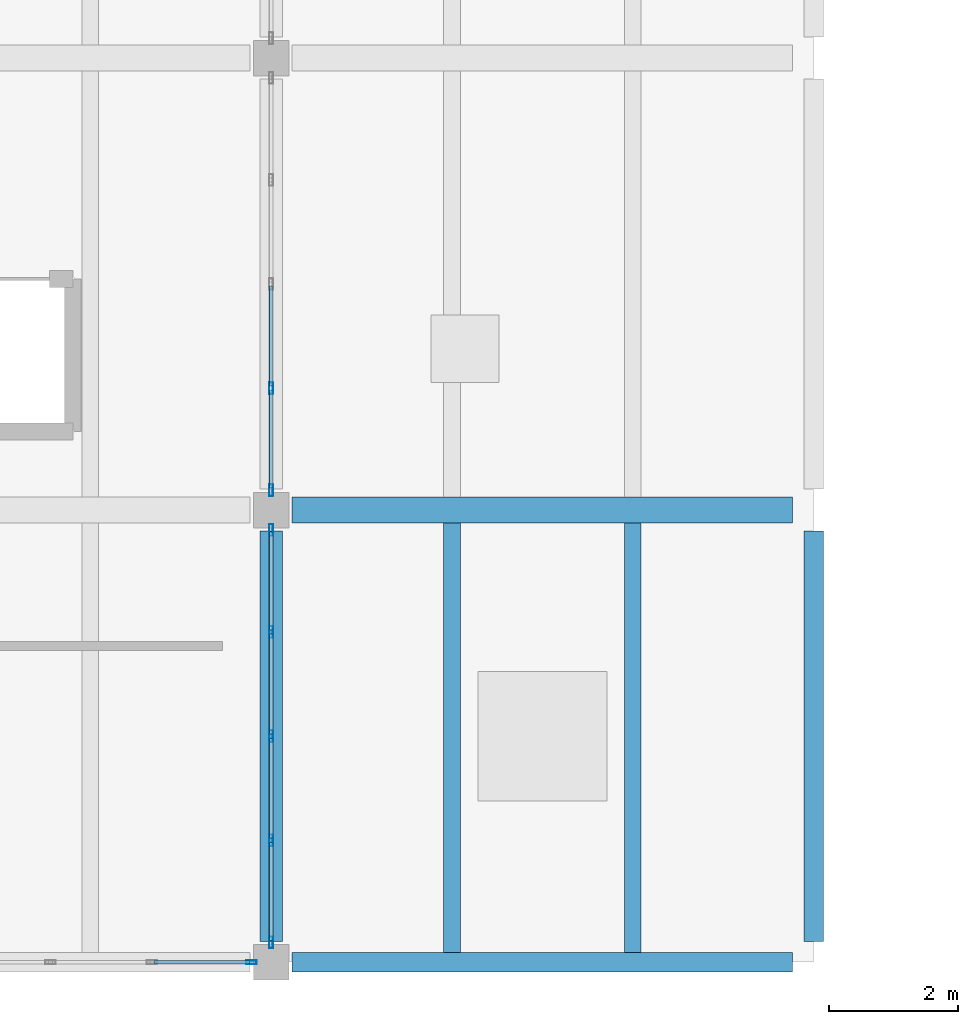
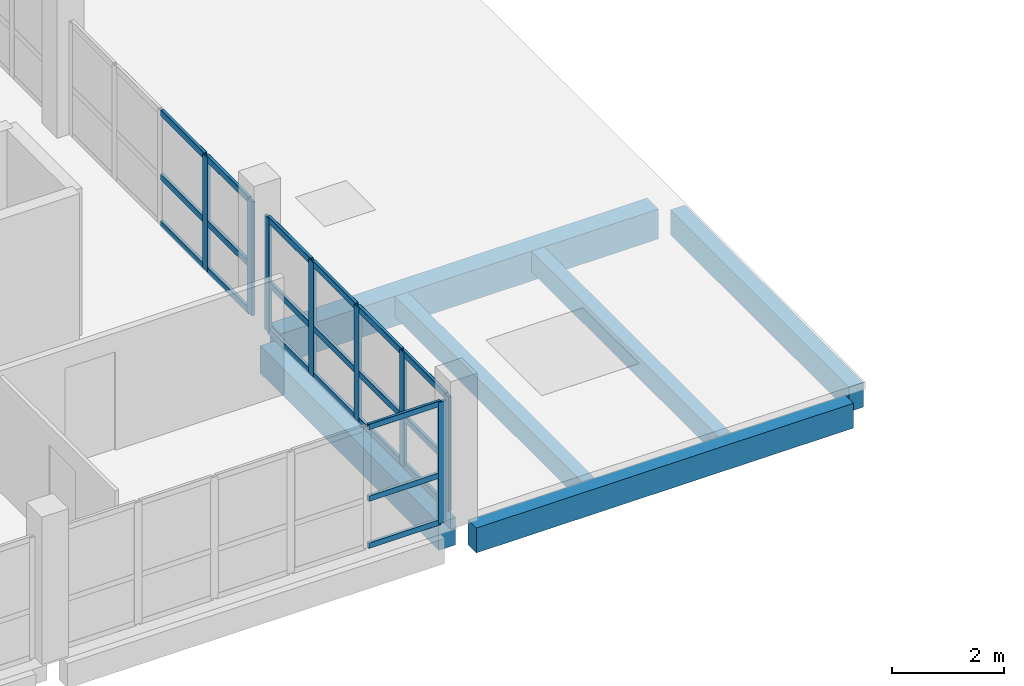
# One storey, part 15 of 24: 29 members, 6 beams, 3 elements without a shape of their own.
"""IFC4 building model written with IfcOpenShell, lengths in metres."""

from ifc_helpers import new_model, si_unit, direction, frame, origin, origin_2d, place, context, subcontext, project, spatial, rectangle, hollow_rectangle, extrude, material, layer, layer_set, material_profile, profile_set, type_object, element, aggregate, save


model = new_model("IFC4")

# Units and contexts
model_context = context("Model", 3, precision=1e-05, world=origin(), true_north=direction((0.0, 1.0)))
body_context = subcontext(model_context, "Body", "Model", "MODEL_VIEW")
ifc_project = project(units=[si_unit("LENGTHUNIT", "METRE"), si_unit("AREAUNIT", "SQUARE_METRE"), si_unit("VOLUMEUNIT", "CUBIC_METRE"), si_unit("PLANEANGLEUNIT", "RADIAN"), si_unit("MASSUNIT", "GRAM", prefix="KILO"), si_unit("THERMODYNAMICTEMPERATUREUNIT", "KELVIN"), si_unit("POWERUNIT", "WATT")], contexts=[model_context])

# Site, building, storey
site_placement = place(None, origin())
site = spatial("IfcSite", under=ifc_project, at=site_placement, CompositionType="ELEMENT")
building_placement = place(site_placement, origin())
building = spatial("IfcBuilding", under=site, at=building_placement, Name="Mavoryth Pier Ferry Terminal", CompositionType="ELEMENT")
storey_placement = place(building_placement, frame((0.0, 0.0, 16.320068359375)))
storey = spatial("IfcBuildingStorey", under=building, at=storey_placement, Name="L04", CompositionType="ELEMENT", Elevation=16.320068359375)

# Beams
ifc_material_1 = material(Name="Concrete C35/45", Category="concrete")
ifc_material_profile_1 = material_profile(ifc_material_1, rectangle(XDim=0.35009765625, YDim=0.60009765625, at=origin_2d()), Name="RC 350x600", Category="concrete")
ifc_profile_set_1 = profile_set([ifc_material_profile_1], Name="Concrete C35/45 - RC 350x600")
beam_type_1 = type_object("IfcBeamType", Name="Girder-RC-350x600", PredefinedType="BEAM", material=ifc_profile_set_1)
beam_1_placement = place(storey_placement, frame((75.60009765625, 0.324951171875, -0.56005859375), z_axis=(0.0, 1.0, 0.0), x_axis=(-1.0, 0.0, 0.0)))
element("IfcBeam", 1, at=beam_1_placement, inside=storey, type_object=beam_type_1, Name="Beam B04-BG08-1486", PredefinedType="BEAM", context=body_context, shape_type="SweptSolid", body=[
    extrude(rectangle(XDim=0.35009765625, YDim=0.60009765625, at=origin_2d()), origin(), (0.0, 0.0, 1.0), 6.35009765625),
])
ifc_material_profile_2 = material_profile(ifc_material_1, rectangle(XDim=0.39990234375, YDim=0.64990234375, at=origin_2d()), Name="RC 400x650", Category="concrete")
ifc_profile_set_2 = profile_set([ifc_material_profile_2], Name="Concrete C35/45 - RC 400x650")
beam_type_2 = type_object("IfcBeamType", Name="Girder-RC-400x650", PredefinedType="BEAM", material=ifc_profile_set_2)
beam_2_placement = place(storey_placement, frame((75.925048828125, 7.0, -0.5849609375), z_axis=(1.0, 0.0, 0.0), x_axis=(0.0, 1.0, 0.0)))
element("IfcBeam", 2, at=beam_2_placement, inside=storey, type_object=beam_type_2, Name="Beam B04-BG05-1466", PredefinedType="BEAM", context=body_context, shape_type="SweptSolid", body=[
    extrude(rectangle(XDim=0.39990234375, YDim=0.64990234375, at=origin_2d()), origin(), (0.0, 0.0, 1.0), 7.75),
])
ifc_material_profile_3 = material_profile(ifc_material_1, rectangle(XDim=0.260009765625, YDim=0.449951171875, at=origin_2d()), Name="RC 260x450", Category="concrete")
ifc_profile_set_3 = profile_set([ifc_material_profile_3], Name="Concrete C35/45 - RC 260x450")
beam_type_3 = type_object("IfcBeamType", Name="Joist-RC-260x450", PredefinedType="JOIST", material=ifc_profile_set_3)
for number, where, z_axis, x_axis, name in (
    (3, (78.39990234375, 0.14990234375, -0.485107421875), (0.0, 1.0, 0.0), (-1.0, 0.0, 0.0), "Beam B04-BJ03-1512"),
    (4, (81.199951171875, 0.14990234375, -0.485107421875), (0.0, 1.0, 0.0), (-1.0, 0.0, 0.0), "Beam B04-BJ03-1513"),
):
    element("IfcBeam", number, at=place(storey_placement, frame(where, z_axis=z_axis, x_axis=x_axis)), inside=storey, type_object=beam_type_3, Name=name, PredefinedType="JOIST", context=body_context, shape_type="SweptSolid", body=[
        extrude(rectangle(XDim=0.260009765625, YDim=0.449951171875, at=origin_2d()), origin(), (0.0, 0.0, 1.0), 6.650146484375),
    ])

# Curtain wall, member
ifc_material_2 = material(Name="Anodised Aluminium and Solar-Control Low-E Glass", Category="aluminium")
ifc_layer = layer(ifc_material_2, 0.260009765625, Name="Anodised Aluminium and Solar-Control Low-E Glass", Category="aluminium")
ifc_layer_set = layer_set([ifc_layer], Name="Anodised Aluminium and Solar-Control Low-E Glass - CW-VTSBridge-Mod1500")
curtain_wall_type = type_object("IfcCurtainWallType", Name="CW-VTSBridge-Mod1500", PredefinedType="USERDEFINED", material=ifc_layer_set)
curtain_wall_1_placement = place(storey_placement, origin())
curtain_wall_1 = element("IfcCurtainWall", 5, at=curtain_wall_1_placement, inside=storey, type_object=curtain_wall_type, Name="Curtain Wall CW-0422-155", ObjectType="UNITISED CURTAIN WALL", PredefinedType="USERDEFINED")
ifc_material_3 = material(Name="Anodised Aluminium EN AW-6063", Category="aluminium")
ifc_material_profile_4 = material_profile(ifc_material_3, hollow_rectangle(XDim=0.06005859375, YDim=0.1650390625, WallThickness=0.00390625, InnerFilletRadius=0.00390625, OuterFilletRadius=0.008056640625, at=origin_2d()), Name="AL-MULL 165x60x4", Category="aluminium")
ifc_profile_set_4 = profile_set([ifc_material_profile_4], Name="Anodised Aluminium EN AW-6063 - AL-MULL 165x60x4")
member_type_1 = type_object("IfcMemberType", Name="Mullion-Alum-165x60", PredefinedType="MULLION", material=ifc_profile_set_4)
member_1_placement = place(storey_placement, frame((75.294921875, 0.0, 0.0), z_axis=(0.0, 0.0, 1.0), x_axis=(0.0, 1.0, 0.0)))
member_1 = element("IfcMember", 6, at=member_1_placement, type_object=member_type_1, Name="CW07 mullion 6", PredefinedType="MULLION", context=body_context, shape_type="SweptSolid", body=[
    extrude(hollow_rectangle(XDim=0.06005859375, YDim=0.1650390625, WallThickness=0.00390625, InnerFilletRadius=0.00390625, OuterFilletRadius=0.008056640625, at=origin_2d()), origin(), (0.0, 0.0, 1.0), 2.635009765625),
])

# Curtain wall, members
curtain_wall_2_placement = place(storey_placement, origin())
curtain_wall_2 = element("IfcCurtainWall", 7, at=curtain_wall_2_placement, inside=storey, type_object=curtain_wall_type, Name="Curtain Wall CW-0433-159", ObjectType="UNITISED CURTAIN WALL", PredefinedType="USERDEFINED")
ifc_material_profile_5 = material_profile(ifc_material_3, hollow_rectangle(XDim=0.06494140625, YDim=0.179931640625, WallThickness=0.00390625, InnerFilletRadius=0.00390625, OuterFilletRadius=0.008056640625, at=origin_2d()), Name="AL-MULL 180x65x4", Category="aluminium")
ifc_profile_set_5 = profile_set([ifc_material_profile_5], Name="Anodised Aluminium EN AW-6063 - AL-MULL 180x65x4")
member_type_2 = type_object("IfcMemberType", Name="Mullion-Alum-180x65", PredefinedType="MULLION", material=ifc_profile_set_5)
member_2_placement = place(storey_placement, frame((75.60009765625, 0.3076171875, 0.0), z_axis=(0.0, 0.0, 1.0), x_axis=(-1.0, 0.0, 0.0)))
member_2 = element("IfcMember", 8, at=member_2_placement, type_object=member_type_2, Name="CW07 mullion 1", PredefinedType="MULLION", context=body_context, shape_type="SweptSolid", body=[
    extrude(hollow_rectangle(XDim=0.06494140625, YDim=0.179931640625, WallThickness=0.00390625, InnerFilletRadius=0.00390625, OuterFilletRadius=0.008056640625, at=origin_2d()), origin(), (0.0, 0.0, 1.0), 2.474853515625),
])
member_3_placement = place(storey_placement, frame((75.60009765625, 1.887451171875, 0.0), z_axis=(0.0, 0.0, 1.0), x_axis=(-1.0, 0.0, 0.0)))
member_3 = element("IfcMember", 9, at=member_3_placement, type_object=member_type_2, Name="CW07 mullion 2", PredefinedType="MULLION", context=body_context, shape_type="SweptSolid", body=[
    extrude(hollow_rectangle(XDim=0.06494140625, YDim=0.179931640625, WallThickness=0.00390625, InnerFilletRadius=0.00390625, OuterFilletRadius=0.008056640625, at=origin_2d()), origin(), (0.0, 0.0, 1.0), 2.474853515625),
])
member_4_placement = place(storey_placement, frame((75.60009765625, 3.5, 0.0), z_axis=(0.0, 0.0, 1.0), x_axis=(-1.0, 0.0, 0.0)))
member_4 = element("IfcMember", 10, at=member_4_placement, type_object=member_type_2, Name="CW07 mullion 3", PredefinedType="MULLION", context=body_context, shape_type="SweptSolid", body=[
    extrude(hollow_rectangle(XDim=0.06494140625, YDim=0.179931640625, WallThickness=0.00390625, InnerFilletRadius=0.00390625, OuterFilletRadius=0.008056640625, at=origin_2d()), origin(), (0.0, 0.0, 1.0), 2.474853515625),
])
member_5_placement = place(storey_placement, frame((75.60009765625, 5.112548828125, 0.0), z_axis=(0.0, 0.0, 1.0), x_axis=(-1.0, 0.0, 0.0)))
member_5 = element("IfcMember", 11, at=member_5_placement, type_object=member_type_2, Name="CW07 mullion 4", PredefinedType="MULLION", context=body_context, shape_type="SweptSolid", body=[
    extrude(hollow_rectangle(XDim=0.06494140625, YDim=0.179931640625, WallThickness=0.00390625, InnerFilletRadius=0.00390625, OuterFilletRadius=0.008056640625, at=origin_2d()), origin(), (0.0, 0.0, 1.0), 2.474853515625),
])
member_6_placement = place(storey_placement, frame((75.60009765625, 6.6923828125, 0.0), z_axis=(0.0, 0.0, 1.0), x_axis=(-1.0, 0.0, 0.0)))
member_6 = element("IfcMember", 12, at=member_6_placement, type_object=member_type_2, Name="CW07 mullion 5", PredefinedType="MULLION", context=body_context, shape_type="SweptSolid", body=[
    extrude(hollow_rectangle(XDim=0.06494140625, YDim=0.179931640625, WallThickness=0.00390625, InnerFilletRadius=0.00390625, OuterFilletRadius=0.008056640625, at=origin_2d()), origin(), (0.0, 0.0, 1.0), 2.474853515625),
])

curtain_wall_3_placement = place(storey_placement, origin())
curtain_wall_3 = element("IfcCurtainWall", 13, at=curtain_wall_3_placement, inside=storey, type_object=curtain_wall_type, Name="Curtain Wall CW-0433-160", ObjectType="UNITISED CURTAIN WALL", PredefinedType="USERDEFINED")
member_7_placement = place(storey_placement, frame((75.60009765625, 7.3076171875, 0.0), z_axis=(0.0, 0.0, 1.0), x_axis=(-1.0, 0.0, 0.0)))
member_7 = element("IfcMember", 14, at=member_7_placement, type_object=member_type_2, Name="CW07 mullion 1", PredefinedType="MULLION", context=body_context, shape_type="SweptSolid", body=[
    extrude(hollow_rectangle(XDim=0.06494140625, YDim=0.179931640625, WallThickness=0.00390625, InnerFilletRadius=0.00390625, OuterFilletRadius=0.008056640625, at=origin_2d()), origin(), (0.0, 0.0, 1.0), 2.474853515625),
])
member_8_placement = place(storey_placement, frame((75.60009765625, 8.887451171875, 0.0), z_axis=(0.0, 0.0, 1.0), x_axis=(-1.0, 0.0, 0.0)))
member_8 = element("IfcMember", 15, at=member_8_placement, type_object=member_type_2, Name="CW07 mullion 2", PredefinedType="MULLION", context=body_context, shape_type="SweptSolid", body=[
    extrude(hollow_rectangle(XDim=0.06494140625, YDim=0.179931640625, WallThickness=0.00390625, InnerFilletRadius=0.00390625, OuterFilletRadius=0.008056640625, at=origin_2d()), origin(), (0.0, 0.0, 1.0), 2.474853515625),
])

# Beams
ifc_material_profile_6 = material_profile(ifc_material_1, rectangle(XDim=0.300048828125, YDim=0.5400390625, at=origin_2d()), Name="RC 300x540", Category="concrete")
ifc_profile_set_6 = profile_set([ifc_material_profile_6], Name="Concrete C35/45 - RC 300x540")
beam_type_4 = type_object("IfcBeamType", Name="Spandrel-RC-300x540", PredefinedType="SPANDREL", material=ifc_profile_set_6)
beam_3_placement = place(storey_placement, frame((75.925048828125, 0.0, -0.530029296875), z_axis=(1.0, 0.0, 0.0), x_axis=(0.0, 1.0, 0.0)))
element("IfcBeam", 16, at=beam_3_placement, inside=storey, type_object=beam_type_4, Name="Beam B04-SP02-1461", PredefinedType="SPANDREL", context=body_context, shape_type="SweptSolid", body=[
    extrude(rectangle(XDim=0.300048828125, YDim=0.5400390625, at=origin_2d()), origin(), (0.0, 0.0, 1.0), 7.75),
])
beam_4_placement = place(storey_placement, frame((84.0, 0.324951171875, -0.530029296875), z_axis=(0.0, 1.0, 0.0), x_axis=(-1.0, 0.0, 0.0)))
element("IfcBeam", 17, at=beam_4_placement, inside=storey, type_object=beam_type_4, Name="Beam B04-SP02-1489", PredefinedType="SPANDREL", context=body_context, shape_type="SweptSolid", body=[
    extrude(rectangle(XDim=0.300048828125, YDim=0.5400390625, at=origin_2d()), origin(), (0.0, 0.0, 1.0), 6.35009765625),
])

# Member
ifc_material_profile_7 = material_profile(ifc_material_3, hollow_rectangle(XDim=0.06005859375, YDim=0.125, WallThickness=0.00390625, InnerFilletRadius=0.00390625, OuterFilletRadius=0.008056640625, at=origin_2d()), Name="AL-TRAN 125x60x4", Category="aluminium")
ifc_profile_set_7 = profile_set([ifc_material_profile_7], Name="Anodised Aluminium EN AW-6063 - AL-TRAN 125x60x4")
member_type_3 = type_object("IfcMemberType", Name="Transom-Alum-125x60", PredefinedType="USERDEFINED", material=ifc_profile_set_7)
member_9_placement = place(storey_placement, frame((73.784912109375, 0.0, 0.030029296875), z_axis=(1.0, 0.0, 0.0), x_axis=(0.0, 1.0, 0.0)))
member_9 = element("IfcMember", 18, at=member_9_placement, type_object=member_type_3, Name="CW07 transom 5.1", ObjectType="TRANSOM", PredefinedType="USERDEFINED", context=body_context, shape_type="SweptSolid", body=[
    extrude(hollow_rectangle(XDim=0.06005859375, YDim=0.125, WallThickness=0.00390625, InnerFilletRadius=0.00390625, OuterFilletRadius=0.008056640625, at=origin_2d()), origin(), (0.0, 0.0, 1.0), 1.47998046875),
])

member_10_placement = place(storey_placement, frame((73.784912109375, 0.0, 1.050048828125), z_axis=(1.0, 0.0, 0.0), x_axis=(0.0, 1.0, 0.0)))
member_10 = element("IfcMember", 19, at=member_10_placement, type_object=member_type_3, Name="CW07 transom 5.2", ObjectType="TRANSOM", PredefinedType="USERDEFINED", context=body_context, shape_type="SweptSolid", body=[
    extrude(hollow_rectangle(XDim=0.06005859375, YDim=0.125, WallThickness=0.00390625, InnerFilletRadius=0.00390625, OuterFilletRadius=0.008056640625, at=origin_2d()), origin(), (0.0, 0.0, 1.0), 1.47998046875),
])

member_11_placement = place(storey_placement, frame((73.784912109375, 0.0, 2.60498046875), z_axis=(1.0, 0.0, 0.0), x_axis=(0.0, 1.0, 0.0)))
member_11 = element("IfcMember", 20, at=member_11_placement, type_object=member_type_3, Name="CW07 transom 5.3", ObjectType="TRANSOM", PredefinedType="USERDEFINED", context=body_context, shape_type="SweptSolid", body=[
    extrude(hollow_rectangle(XDim=0.06005859375, YDim=0.125, WallThickness=0.00390625, InnerFilletRadius=0.00390625, OuterFilletRadius=0.008056640625, at=origin_2d()), origin(), (0.0, 0.0, 1.0), 1.47998046875),
])

aggregate(curtain_wall_1, [member_1, member_9, member_10, member_11])

ifc_material_profile_8 = material_profile(ifc_material_3, hollow_rectangle(XDim=0.06494140625, YDim=0.139892578125, WallThickness=0.00390625, InnerFilletRadius=0.00390625, OuterFilletRadius=0.008056640625, at=origin_2d()), Name="AL-TRAN 140x65x4", Category="aluminium")
ifc_profile_set_8 = profile_set([ifc_material_profile_8], Name="Anodised Aluminium EN AW-6063 - AL-TRAN 140x65x4")
member_type_4 = type_object("IfcMemberType", Name="Transom-Alum-140x65", PredefinedType="USERDEFINED", material=ifc_profile_set_8)
member_12_placement = place(storey_placement, frame((75.60009765625, 0.340087890625, 0.032470703125), z_axis=(0.0, 1.0, 0.0), x_axis=(-1.0, 0.0, 0.0)))
member_12 = element("IfcMember", 21, at=member_12_placement, type_object=member_type_4, Name="CW07 transom 1.1", ObjectType="TRANSOM", PredefinedType="USERDEFINED", context=body_context, shape_type="SweptSolid", body=[
    extrude(hollow_rectangle(XDim=0.06494140625, YDim=0.139892578125, WallThickness=0.00390625, InnerFilletRadius=0.00390625, OuterFilletRadius=0.008056640625, at=origin_2d()), origin(), (0.0, 0.0, 1.0), 1.514892578125),
])

member_13_placement = place(storey_placement, frame((75.60009765625, 0.340087890625, 1.050048828125), z_axis=(0.0, 1.0, 0.0), x_axis=(-1.0, 0.0, 0.0)))
member_13 = element("IfcMember", 22, at=member_13_placement, type_object=member_type_4, Name="CW07 transom 1.2", ObjectType="TRANSOM", PredefinedType="USERDEFINED", context=body_context, shape_type="SweptSolid", body=[
    extrude(hollow_rectangle(XDim=0.06494140625, YDim=0.139892578125, WallThickness=0.00390625, InnerFilletRadius=0.00390625, OuterFilletRadius=0.008056640625, at=origin_2d()), origin(), (0.0, 0.0, 1.0), 1.514892578125),
])

member_14_placement = place(storey_placement, frame((75.60009765625, 0.340087890625, 2.4423828125), z_axis=(0.0, 1.0, 0.0), x_axis=(-1.0, 0.0, 0.0)))
member_14 = element("IfcMember", 23, at=member_14_placement, type_object=member_type_4, Name="CW07 transom 1.3", ObjectType="TRANSOM", PredefinedType="USERDEFINED", context=body_context, shape_type="SweptSolid", body=[
    extrude(hollow_rectangle(XDim=0.06494140625, YDim=0.139892578125, WallThickness=0.00390625, InnerFilletRadius=0.00390625, OuterFilletRadius=0.008056640625, at=origin_2d()), origin(), (0.0, 0.0, 1.0), 1.514892578125),
])

member_15_placement = place(storey_placement, frame((75.60009765625, 1.919921875, 0.032470703125), z_axis=(0.0, 1.0, 0.0), x_axis=(-1.0, 0.0, 0.0)))
member_15 = element("IfcMember", 24, at=member_15_placement, type_object=member_type_4, Name="CW07 transom 2.1", ObjectType="TRANSOM", PredefinedType="USERDEFINED", context=body_context, shape_type="SweptSolid", body=[
    extrude(hollow_rectangle(XDim=0.06494140625, YDim=0.139892578125, WallThickness=0.00390625, InnerFilletRadius=0.00390625, OuterFilletRadius=0.008056640625, at=origin_2d()), origin(), (0.0, 0.0, 1.0), 1.547607421875),
])

member_16_placement = place(storey_placement, frame((75.60009765625, 1.919921875, 1.050048828125), z_axis=(0.0, 1.0, 0.0), x_axis=(-1.0, 0.0, 0.0)))
member_16 = element("IfcMember", 25, at=member_16_placement, type_object=member_type_4, Name="CW07 transom 2.2", ObjectType="TRANSOM", PredefinedType="USERDEFINED", context=body_context, shape_type="SweptSolid", body=[
    extrude(hollow_rectangle(XDim=0.06494140625, YDim=0.139892578125, WallThickness=0.00390625, InnerFilletRadius=0.00390625, OuterFilletRadius=0.008056640625, at=origin_2d()), origin(), (0.0, 0.0, 1.0), 1.547607421875),
])

member_17_placement = place(storey_placement, frame((75.60009765625, 1.919921875, 2.4423828125), z_axis=(0.0, 1.0, 0.0), x_axis=(-1.0, 0.0, 0.0)))
member_17 = element("IfcMember", 26, at=member_17_placement, type_object=member_type_4, Name="CW07 transom 2.3", ObjectType="TRANSOM", PredefinedType="USERDEFINED", context=body_context, shape_type="SweptSolid", body=[
    extrude(hollow_rectangle(XDim=0.06494140625, YDim=0.139892578125, WallThickness=0.00390625, InnerFilletRadius=0.00390625, OuterFilletRadius=0.008056640625, at=origin_2d()), origin(), (0.0, 0.0, 1.0), 1.547607421875),
])

member_18_placement = place(storey_placement, frame((75.60009765625, 3.532470703125, 0.032470703125), z_axis=(0.0, 1.0, 0.0), x_axis=(-1.0, 0.0, 0.0)))
member_18 = element("IfcMember", 27, at=member_18_placement, type_object=member_type_4, Name="CW07 transom 3.1", ObjectType="TRANSOM", PredefinedType="USERDEFINED", context=body_context, shape_type="SweptSolid", body=[
    extrude(hollow_rectangle(XDim=0.06494140625, YDim=0.139892578125, WallThickness=0.00390625, InnerFilletRadius=0.00390625, OuterFilletRadius=0.008056640625, at=origin_2d()), origin(), (0.0, 0.0, 1.0), 1.547607421875),
])

member_19_placement = place(storey_placement, frame((75.60009765625, 3.532470703125, 1.050048828125), z_axis=(0.0, 1.0, 0.0), x_axis=(-1.0, 0.0, 0.0)))
member_19 = element("IfcMember", 28, at=member_19_placement, type_object=member_type_4, Name="CW07 transom 3.2", ObjectType="TRANSOM", PredefinedType="USERDEFINED", context=body_context, shape_type="SweptSolid", body=[
    extrude(hollow_rectangle(XDim=0.06494140625, YDim=0.139892578125, WallThickness=0.00390625, InnerFilletRadius=0.00390625, OuterFilletRadius=0.008056640625, at=origin_2d()), origin(), (0.0, 0.0, 1.0), 1.547607421875),
])

member_20_placement = place(storey_placement, frame((75.60009765625, 3.532470703125, 2.4423828125), z_axis=(0.0, 1.0, 0.0), x_axis=(-1.0, 0.0, 0.0)))
member_20 = element("IfcMember", 29, at=member_20_placement, type_object=member_type_4, Name="CW07 transom 3.3", ObjectType="TRANSOM", PredefinedType="USERDEFINED", context=body_context, shape_type="SweptSolid", body=[
    extrude(hollow_rectangle(XDim=0.06494140625, YDim=0.139892578125, WallThickness=0.00390625, InnerFilletRadius=0.00390625, OuterFilletRadius=0.008056640625, at=origin_2d()), origin(), (0.0, 0.0, 1.0), 1.547607421875),
])

member_21_placement = place(storey_placement, frame((75.60009765625, 5.14501953125, 0.032470703125), z_axis=(0.0, 1.0, 0.0), x_axis=(-1.0, 0.0, 0.0)))
member_21 = element("IfcMember", 30, at=member_21_placement, type_object=member_type_4, Name="CW07 transom 4.1", ObjectType="TRANSOM", PredefinedType="USERDEFINED", context=body_context, shape_type="SweptSolid", body=[
    extrude(hollow_rectangle(XDim=0.06494140625, YDim=0.139892578125, WallThickness=0.00390625, InnerFilletRadius=0.00390625, OuterFilletRadius=0.008056640625, at=origin_2d()), origin(), (0.0, 0.0, 1.0), 1.514892578125),
])

member_22_placement = place(storey_placement, frame((75.60009765625, 5.14501953125, 1.050048828125), z_axis=(0.0, 1.0, 0.0), x_axis=(-1.0, 0.0, 0.0)))
member_22 = element("IfcMember", 31, at=member_22_placement, type_object=member_type_4, Name="CW07 transom 4.2", ObjectType="TRANSOM", PredefinedType="USERDEFINED", context=body_context, shape_type="SweptSolid", body=[
    extrude(hollow_rectangle(XDim=0.06494140625, YDim=0.139892578125, WallThickness=0.00390625, InnerFilletRadius=0.00390625, OuterFilletRadius=0.008056640625, at=origin_2d()), origin(), (0.0, 0.0, 1.0), 1.514892578125),
])

member_23_placement = place(storey_placement, frame((75.60009765625, 5.14501953125, 2.4423828125), z_axis=(0.0, 1.0, 0.0), x_axis=(-1.0, 0.0, 0.0)))
member_23 = element("IfcMember", 32, at=member_23_placement, type_object=member_type_4, Name="CW07 transom 4.3", ObjectType="TRANSOM", PredefinedType="USERDEFINED", context=body_context, shape_type="SweptSolid", body=[
    extrude(hollow_rectangle(XDim=0.06494140625, YDim=0.139892578125, WallThickness=0.00390625, InnerFilletRadius=0.00390625, OuterFilletRadius=0.008056640625, at=origin_2d()), origin(), (0.0, 0.0, 1.0), 1.514892578125),
])

aggregate(curtain_wall_2, [member_2, member_3, member_4, member_5, member_6, member_12, member_13, member_14, member_15, member_16, member_17, member_18, member_19, member_20, member_21, member_22, member_23])

member_24_placement = place(storey_placement, frame((75.60009765625, 7.340087890625, 0.032470703125), z_axis=(0.0, 1.0, 0.0), x_axis=(-1.0, 0.0, 0.0)))
member_24 = element("IfcMember", 33, at=member_24_placement, type_object=member_type_4, Name="CW07 transom 1.1", ObjectType="TRANSOM", PredefinedType="USERDEFINED", context=body_context, shape_type="SweptSolid", body=[
    extrude(hollow_rectangle(XDim=0.06494140625, YDim=0.139892578125, WallThickness=0.00390625, InnerFilletRadius=0.00390625, OuterFilletRadius=0.008056640625, at=origin_2d()), origin(), (0.0, 0.0, 1.0), 1.514892578125),
])

member_25_placement = place(storey_placement, frame((75.60009765625, 7.340087890625, 1.050048828125), z_axis=(0.0, 1.0, 0.0), x_axis=(-1.0, 0.0, 0.0)))
member_25 = element("IfcMember", 34, at=member_25_placement, type_object=member_type_4, Name="CW07 transom 1.2", ObjectType="TRANSOM", PredefinedType="USERDEFINED", context=body_context, shape_type="SweptSolid", body=[
    extrude(hollow_rectangle(XDim=0.06494140625, YDim=0.139892578125, WallThickness=0.00390625, InnerFilletRadius=0.00390625, OuterFilletRadius=0.008056640625, at=origin_2d()), origin(), (0.0, 0.0, 1.0), 1.514892578125),
])

member_26_placement = place(storey_placement, frame((75.60009765625, 7.340087890625, 2.4423828125), z_axis=(0.0, 1.0, 0.0), x_axis=(-1.0, 0.0, 0.0)))
member_26 = element("IfcMember", 35, at=member_26_placement, type_object=member_type_4, Name="CW07 transom 1.3", ObjectType="TRANSOM", PredefinedType="USERDEFINED", context=body_context, shape_type="SweptSolid", body=[
    extrude(hollow_rectangle(XDim=0.06494140625, YDim=0.139892578125, WallThickness=0.00390625, InnerFilletRadius=0.00390625, OuterFilletRadius=0.008056640625, at=origin_2d()), origin(), (0.0, 0.0, 1.0), 1.514892578125),
])

member_27_placement = place(storey_placement, frame((75.60009765625, 8.919921875, 0.032470703125), z_axis=(0.0, 1.0, 0.0), x_axis=(-1.0, 0.0, 0.0)))
member_27 = element("IfcMember", 36, at=member_27_placement, type_object=member_type_4, Name="CW07 transom 2.1", ObjectType="TRANSOM", PredefinedType="USERDEFINED", context=body_context, shape_type="SweptSolid", body=[
    extrude(hollow_rectangle(XDim=0.06494140625, YDim=0.139892578125, WallThickness=0.00390625, InnerFilletRadius=0.00390625, OuterFilletRadius=0.008056640625, at=origin_2d()), origin(), (0.0, 0.0, 1.0), 1.547607421875),
])

member_28_placement = place(storey_placement, frame((75.60009765625, 8.919921875, 1.050048828125), z_axis=(0.0, 1.0, 0.0), x_axis=(-1.0, 0.0, 0.0)))
member_28 = element("IfcMember", 37, at=member_28_placement, type_object=member_type_4, Name="CW07 transom 2.2", ObjectType="TRANSOM", PredefinedType="USERDEFINED", context=body_context, shape_type="SweptSolid", body=[
    extrude(hollow_rectangle(XDim=0.06494140625, YDim=0.139892578125, WallThickness=0.00390625, InnerFilletRadius=0.00390625, OuterFilletRadius=0.008056640625, at=origin_2d()), origin(), (0.0, 0.0, 1.0), 1.547607421875),
])

member_29_placement = place(storey_placement, frame((75.60009765625, 8.919921875, 2.4423828125), z_axis=(0.0, 1.0, 0.0), x_axis=(-1.0, 0.0, 0.0)))
member_29 = element("IfcMember", 38, at=member_29_placement, type_object=member_type_4, Name="CW07 transom 2.3", ObjectType="TRANSOM", PredefinedType="USERDEFINED", context=body_context, shape_type="SweptSolid", body=[
    extrude(hollow_rectangle(XDim=0.06494140625, YDim=0.139892578125, WallThickness=0.00390625, InnerFilletRadius=0.00390625, OuterFilletRadius=0.008056640625, at=origin_2d()), origin(), (0.0, 0.0, 1.0), 1.547607421875),
])

aggregate(curtain_wall_3, [member_7, member_8, member_24, member_25, member_26, member_27, member_28, member_29])

save(model, "model.ifc")
